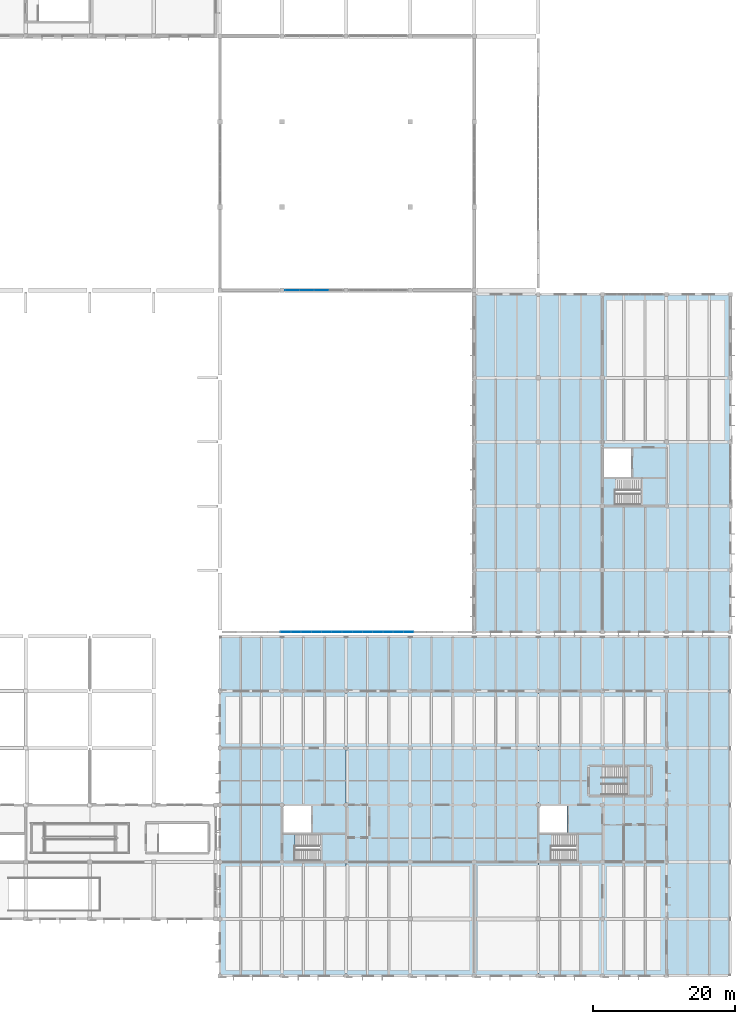
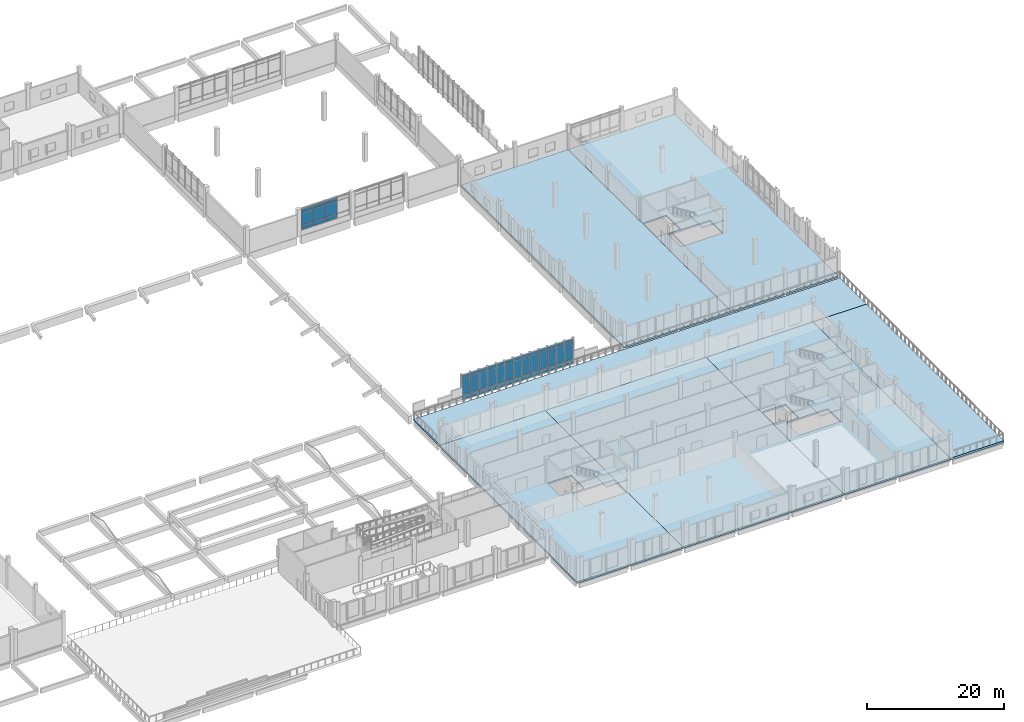
# One storey, part 29 of 63: 48 plates, 11 slabs, 6 elements without a shape of their own.
"""IFC4 building model written with IfcOpenShell, lengths in metres."""

import ifcopenshell
import ifcopenshell.guid

model = None  # the IFC model being written
_history = None  # IfcOwnerHistory: only IFC2X3 demands one
_inside = {}  # id of a spatial element -> (the spatial element, [elements in it])
_under = {}  # id of a project, library or spatial element -> (it, [spatial elements below it])
_declared = {}  # id of a project -> (the project, [libraries it declares])
_typed = {}  # id of a type object -> (the type object, [elements of that type])
_made_of = {}  # id of a material, layer set ... -> (it, [elements and type objects made of it])


def new_model(schema):
    """Start an empty IFC model of exactly this schema.

    Asked for "IFC4X3", IfcOpenShell would pick the latest addendum, in which some entities
    have other attributes; the version numbers below select the first issue.
    IFC2X3 requires an IfcOwnerHistory on every rooted entity: one is made here for all.
    """
    global model, _history
    if schema == "IFC4X3":
        model = ifcopenshell.file(schema_version=(4, 3, 0, 0))
    else:
        model = ifcopenshell.file(schema=schema)
    _inside.clear()
    _under.clear()
    _declared.clear()
    _typed.clear()
    _made_of.clear()
    _history = None
    if model.schema == "IFC2X3":
        org = make("IfcOrganization", Name="unknown")
        user = make(
            "IfcPersonAndOrganization",
            ThePerson=make("IfcPerson", FamilyName="unknown"),
            TheOrganization=org,
        )
        app = make(
            "IfcApplication",
            ApplicationDeveloper=org,
            Version="unknown",
            ApplicationFullName="unknown",
            ApplicationIdentifier="unknown",
        )
        _history = make(
            "IfcOwnerHistory",
            OwningUser=user,
            OwningApplication=app,
            ChangeAction="ADDED",
            CreationDate=0,
        )
    return model


def make(cls, **values):
    """One entity of the class cls with the attributes given. An attribute that is None is left unset."""
    return model.create_entity(
        cls, **{name: value for name, value in values.items() if value is not None}
    )


def rooted(cls, **values):
    """An entity with a GlobalId (a new one), such as an element, a storey or a relation."""
    return make(cls, GlobalId=ifcopenshell.guid.new(), OwnerHistory=_history, **values)


def si_unit(unit_type, name, prefix=None):
    """IfcSIUnit, for example si_unit("LENGTHUNIT", "METRE", prefix="MILLI")."""
    return make("IfcSIUnit", UnitType=unit_type, Prefix=prefix, Name=name)


def assignment(units):
    """IfcUnitAssignment: the units of a project."""
    return None if units is None else make("IfcUnitAssignment", Units=units)


def point(xyz):
    """IfcCartesianPoint."""
    return None if xyz is None else make("IfcCartesianPoint", Coordinates=xyz)


def direction(xyz):
    """IfcDirection."""
    return None if xyz is None else make("IfcDirection", DirectionRatios=xyz)


def frame(location, z_axis=None, x_axis=None):
    """IfcAxis2Placement3D, a coordinate frame: its origin and axes. An axis left out is left unset."""
    return make(
        "IfcAxis2Placement3D",
        Location=point(location),
        Axis=direction(z_axis),
        RefDirection=direction(x_axis),
    )


def frame_2d(location, x_axis=None):
    """IfcAxis2Placement2D, a coordinate frame in the plane: its origin and x axis."""
    return make(
        "IfcAxis2Placement2D", Location=point(location), RefDirection=direction(x_axis)
    )


def origin():
    """The frame at (0, 0, 0) with its axes left unset."""
    return frame((0.0, 0.0, 0.0))


def origin_2d():
    """The frame at (0, 0) in the plane with its x axis left unset."""
    return frame_2d((0.0, 0.0))


def place(relative_to, where):
    """IfcLocalPlacement: puts the frame where relative to a parent placement (None: the world)."""
    return make(
        "IfcLocalPlacement", PlacementRelTo=relative_to, RelativePlacement=where
    )


def context(
    kind, dimensions, precision=None, world=None, true_north=None, identifier=None
):
    """IfcGeometricRepresentationContext, for example the 3D "Model" context."""
    return make(
        "IfcGeometricRepresentationContext",
        ContextIdentifier=identifier,
        ContextType=kind,
        CoordinateSpaceDimension=dimensions,
        Precision=precision,
        WorldCoordinateSystem=world,
        TrueNorth=true_north,
    )


def subcontext(parent, identifier, kind, view, scale=None):
    """IfcGeometricRepresentationSubContext, for example "Body" below "Model"."""
    return make(
        "IfcGeometricRepresentationSubContext",
        ContextIdentifier=identifier,
        ContextType=kind,
        ParentContext=parent,
        TargetScale=scale,
        TargetView=view,
    )


def project(units=None, contexts=None):
    """IfcProject with its units and contexts."""
    return rooted(
        "IfcProject",
        Name="project",
        RepresentationContexts=contexts,
        UnitsInContext=assignment(units),
    )


def spatial(cls, under=None, at=None, **own):
    """A site, building, storey or space (cls), placed at a placement, below another one or the project."""
    s = rooted(cls, ObjectPlacement=at, **own)
    if under is not None:
        _under.setdefault(under.id(), (under, []))[1].append(s)
    return s


def polyline(points):
    """IfcPolyline through the points."""
    return make("IfcPolyline", Points=[point(p) for p in points])


def profile(cls, at=None, kind="AREA", **sizes):
    """A parametric profile (cls). Its sizes go by their IFC names, for example OverallWidth=200.0."""
    return make(cls, ProfileType=kind, Position=at, **sizes)


def rectangle(**sizes):
    """IfcRectangleProfileDef."""
    return profile("IfcRectangleProfileDef", **sizes)


def outline(outer, holes=None, kind="AREA"):
    """IfcArbitraryClosedProfileDef: a profile drawn as a closed curve; with holes, ...WithVoids."""
    if holes is None:
        return make("IfcArbitraryClosedProfileDef", ProfileType=kind, OuterCurve=outer)
    return make(
        "IfcArbitraryProfileDefWithVoids",
        ProfileType=kind,
        OuterCurve=outer,
        InnerCurves=holes,
    )


def extrude(swept, where, along, depth):
    """IfcExtrudedAreaSolid: the profile swept, set in the frame where, extruded along a direction by depth."""
    return make(
        "IfcExtrudedAreaSolid",
        SweptArea=swept,
        Position=where,
        ExtrudedDirection=direction(along),
        Depth=depth,
    )


def shape(context_of_items, identifier, shape_type, items):
    """IfcShapeRepresentation: the items that make up one representation, for example the "Body"."""
    return make(
        "IfcShapeRepresentation",
        ContextOfItems=context_of_items,
        RepresentationIdentifier=identifier,
        RepresentationType=shape_type,
        Items=items,
    )


def material(Name=None, Category=None):
    """IfcMaterial."""
    return make("IfcMaterial", Name=Name, Category=Category)


def layer(
    of_material, thickness, ventilated=None, Name=None, Category=None, Priority=None
):
    """IfcMaterialLayer: one layer of a wall or slab, of a material (None: an air gap)."""
    return make(
        "IfcMaterialLayer",
        Material=of_material,
        LayerThickness=thickness,
        IsVentilated=ventilated,
        Name=Name,
        Category=Category,
        Priority=Priority,
    )


def layer_set(layers, Name=None):
    """IfcMaterialLayerSet."""
    return make("IfcMaterialLayerSet", MaterialLayers=layers, LayerSetName=Name)


def made_of(thing, what):
    """Note that an element or type object is made of a material, layer set ...; save() writes the relation."""
    if what is not None:
        _made_of.setdefault(what.id(), (what, []))[1].append(thing)
    return thing


def type_object(cls, material=None, **own):
    """A type object (cls), such as IfcWallType, which elements share."""
    return made_of(rooted(cls, **own), material)


def element(
    cls,
    number,
    at=None,
    inside=None,
    cuts=None,
    type_object=None,
    material=None,
    context=None,
    identifier="Body",
    shape_type=None,
    held_by="IfcProductDefinitionShape",
    body=None,
    shapes=None,
    **own,
):
    """One element of the class cls, such as IfcWall. Its Tag is "e" and its number.

    at: its placement. inside: the storey or other place that contains it. cuts: it is an
    opening in that element (IfcRelVoidsElement). A single representation is given by context,
    identifier, shape_type and body (its items); several are given by shapes. held_by: the class
    of the entity that holds the representations. save() writes the other relations.
    """
    e = rooted(cls, Tag="e%d" % number, ObjectPlacement=at, **own)
    if body is not None:
        shapes = [shape(context, identifier, shape_type, body)]
    if shapes is not None:
        e.Representation = make(held_by, Representations=shapes)
    if inside is not None:
        _inside.setdefault(inside.id(), (inside, []))[1].append(e)
    if cuts is not None:
        rooted(
            "IfcRelVoidsElement", RelatingBuildingElement=cuts, RelatedOpeningElement=e
        )
    if type_object is not None:
        _typed.setdefault(type_object.id(), (type_object, []))[1].append(e)
    return made_of(e, material)


def aggregate(whole, parts):
    """IfcRelAggregates: a whole, such as a stair, and the parts it consists of."""
    return rooted("IfcRelAggregates", RelatingObject=whole, RelatedObjects=parts)


def save(model, path):
    """Write the relations noted so far, then the file.

    IfcRelAggregates (storeys below a building ...), IfcRelContainedInSpatialStructure (elements
    in a storey), IfcRelDefinesByType, IfcRelAssociatesMaterial and IfcRelDeclares: one each for
    every whole, place, type object, material and project.
    """
    for whole, parts in _under.values():
        aggregate(whole, parts)
    for where, things in _inside.values():
        rooted(
            "IfcRelContainedInSpatialStructure",
            RelatedElements=things,
            RelatingStructure=where,
        )
    for kind, things in _typed.values():
        rooted("IfcRelDefinesByType", RelatedObjects=things, RelatingType=kind)
    for what, things in _made_of.values():
        rooted("IfcRelAssociatesMaterial", RelatedObjects=things, RelatingMaterial=what)
    for by, libraries in _declared.values():
        rooted("IfcRelDeclares", RelatingContext=by, RelatedDefinitions=libraries)
    model.write(path)


model = new_model("IFC4")

# Units and contexts
model_context = context("Model", 3, precision=1e-05, world=origin(), true_north=direction((0.0, 1.0)))
body_context = subcontext(model_context, "Body", "Model", "MODEL_VIEW")
ifc_project = project(units=[si_unit("LENGTHUNIT", "METRE"), si_unit("AREAUNIT", "SQUARE_METRE"), si_unit("VOLUMEUNIT", "CUBIC_METRE"), si_unit("PLANEANGLEUNIT", "RADIAN"), si_unit("MASSUNIT", "GRAM", prefix="KILO")], contexts=[model_context])

# Site, building, storey
site_placement = place(None, origin())
site = spatial("IfcSite", under=ifc_project, at=site_placement, CompositionType="ELEMENT")
building_placement = place(site_placement, origin())
building = spatial("IfcBuilding", under=site, at=building_placement, Name="Zacnel Wholesale Market", CompositionType="ELEMENT")
storey_placement = place(building_placement, frame((0.0, 0.0, 11.199951171875)))
storey = spatial("IfcBuildingStorey", under=building, at=storey_placement, Name="L03", CompositionType="ELEMENT", Elevation=11.199951171875)

# Curtain wall, plates
ifc_material_1 = material(Name="Anodised aluminium", Category="aluminium")
ifc_layer_1 = layer(ifc_material_1, 0.159912109375)
ifc_layer_set_1 = layer_set([ifc_layer_1], Name="Anodised aluminium")
curtain_wall_type_1 = type_object("IfcCurtainWallType", Name="CW-NAVE-4200", PredefinedType="NOTDEFINED", material=ifc_layer_set_1)
curtain_wall_1_placement = place(storey_placement, origin())
curtain_wall_1 = element("IfcCurtainWall", 1, at=curtain_wall_1_placement, inside=storey, type_object=curtain_wall_type_1, Name="Curtain wall ENV-CW-GABLE-E-S", PredefinedType="NOTDEFINED")
ifc_material_2 = material(Name="Laminated hurricane-impact low-E insulated glass", Category="glass")
ifc_layer_2 = layer(ifc_material_2, 0.031982421875)
ifc_layer_set_2 = layer_set([ifc_layer_2], Name="Laminated hurricane-impact low-E insulated glass")
plate_type_1 = type_object("IfcPlateType", Name="CWP-PNL-02", PredefinedType="CURTAIN_PANEL", material=ifc_layer_set_2)
plate_1_placement = place(storey_placement, frame((153.519287109375, 48.300048828125, 0.8798828125), z_axis=(0.0, 0.0, 1.0), x_axis=(1.0, 0.0, 0.0)))
plate_1 = element("IfcPlate", 2, at=plate_1_placement, type_object=plate_type_1, Name="ENV-CW-GABLE-E-S panel 1-2", PredefinedType="CURTAIN_PANEL", context=body_context, shape_type="SweptSolid", body=[
    extrude(rectangle(XDim=1.368408203125, YDim=0.031982421875, at=origin_2d()), origin(), (0.0, 0.0, 1.0), 2.989990234375),
])
plate_2_placement = place(storey_placement, frame((154.957763671875, 48.300048828125, 0.8798828125), z_axis=(0.0, 0.0, 1.0), x_axis=(1.0, 0.0, 0.0)))
plate_2 = element("IfcPlate", 3, at=plate_2_placement, type_object=plate_type_1, Name="ENV-CW-GABLE-E-S panel 2-2", PredefinedType="CURTAIN_PANEL", context=body_context, shape_type="SweptSolid", body=[
    extrude(rectangle(XDim=1.368408203125, YDim=0.031982421875, at=origin_2d()), origin(), (0.0, 0.0, 1.0), 2.989990234375),
])
plate_3_placement = place(storey_placement, frame((156.396240234375, 48.300048828125, 0.8798828125), z_axis=(0.0, 0.0, 1.0), x_axis=(1.0, 0.0, 0.0)))
plate_3 = element("IfcPlate", 4, at=plate_3_placement, type_object=plate_type_1, Name="ENV-CW-GABLE-E-S panel 3-2", PredefinedType="CURTAIN_PANEL", context=body_context, shape_type="SweptSolid", body=[
    extrude(rectangle(XDim=1.368408203125, YDim=0.031982421875, at=origin_2d()), origin(), (0.0, 0.0, 1.0), 2.989990234375),
])
plate_4_placement = place(storey_placement, frame((157.834716796875, 48.300048828125, 0.8798828125), z_axis=(0.0, 0.0, 1.0), x_axis=(1.0, 0.0, 0.0)))
plate_4 = element("IfcPlate", 5, at=plate_4_placement, type_object=plate_type_1, Name="ENV-CW-GABLE-E-S panel 4-2", PredefinedType="CURTAIN_PANEL", context=body_context, shape_type="SweptSolid", body=[
    extrude(rectangle(XDim=1.368408203125, YDim=0.031982421875, at=origin_2d()), origin(), (0.0, 0.0, 1.0), 2.989990234375),
])
plate_5_placement = place(storey_placement, frame((159.273193359375, 48.300048828125, 0.8798828125), z_axis=(0.0, 0.0, 1.0), x_axis=(1.0, 0.0, 0.0)))
plate_5 = element("IfcPlate", 6, at=plate_5_placement, type_object=plate_type_1, Name="ENV-CW-GABLE-E-S panel 5-2", PredefinedType="CURTAIN_PANEL", context=body_context, shape_type="SweptSolid", body=[
    extrude(rectangle(XDim=1.368408203125, YDim=0.031982421875, at=origin_2d()), origin(), (0.0, 0.0, 1.0), 2.989990234375),
])
plate_6_placement = place(storey_placement, frame((160.71142578125, 48.300048828125, 0.8798828125), z_axis=(0.0, 0.0, 1.0), x_axis=(1.0, 0.0, 0.0)))
plate_6 = element("IfcPlate", 7, at=plate_6_placement, type_object=plate_type_1, Name="ENV-CW-GABLE-E-S panel 6-2", PredefinedType="CURTAIN_PANEL", context=body_context, shape_type="SweptSolid", body=[
    extrude(rectangle(XDim=1.368408203125, YDim=0.031982421875, at=origin_2d()), origin(), (0.0, 0.0, 1.0), 2.989990234375),
])
plate_7_placement = place(storey_placement, frame((162.14990234375, 48.300048828125, 0.8798828125), z_axis=(0.0, 0.0, 1.0), x_axis=(1.0, 0.0, 0.0)))
plate_7 = element("IfcPlate", 8, at=plate_7_placement, type_object=plate_type_1, Name="ENV-CW-GABLE-E-S panel 7-2", PredefinedType="CURTAIN_PANEL", context=body_context, shape_type="SweptSolid", body=[
    extrude(rectangle(XDim=1.368408203125, YDim=0.031982421875, at=origin_2d()), origin(), (0.0, 0.0, 1.0), 2.989990234375),
])
plate_8_placement = place(storey_placement, frame((163.58837890625, 48.300048828125, 0.8798828125), z_axis=(0.0, 0.0, 1.0), x_axis=(1.0, 0.0, 0.0)))
plate_8 = element("IfcPlate", 9, at=plate_8_placement, type_object=plate_type_1, Name="ENV-CW-GABLE-E-S panel 8-2", PredefinedType="CURTAIN_PANEL", context=body_context, shape_type="SweptSolid", body=[
    extrude(rectangle(XDim=1.368408203125, YDim=0.031982421875, at=origin_2d()), origin(), (0.0, 0.0, 1.0), 2.989990234375),
])
plate_9_placement = place(storey_placement, frame((165.02685546875, 48.300048828125, 0.8798828125), z_axis=(0.0, 0.0, 1.0), x_axis=(1.0, 0.0, 0.0)))
plate_9 = element("IfcPlate", 10, at=plate_9_placement, type_object=plate_type_1, Name="ENV-CW-GABLE-E-S panel 9-2", PredefinedType="CURTAIN_PANEL", context=body_context, shape_type="SweptSolid", body=[
    extrude(rectangle(XDim=1.368408203125, YDim=0.031982421875, at=origin_2d()), origin(), (0.0, 0.0, 1.0), 2.989990234375),
])
plate_10_placement = place(storey_placement, frame((166.46533203125, 48.300048828125, 0.8798828125), z_axis=(0.0, 0.0, 1.0), x_axis=(1.0, 0.0, 0.0)))
plate_10 = element("IfcPlate", 11, at=plate_10_placement, type_object=plate_type_1, Name="ENV-CW-GABLE-E-S panel 10-2", PredefinedType="CURTAIN_PANEL", context=body_context, shape_type="SweptSolid", body=[
    extrude(rectangle(XDim=1.368408203125, YDim=0.031982421875, at=origin_2d()), origin(), (0.0, 0.0, 1.0), 2.989990234375),
])
plate_11_placement = place(storey_placement, frame((167.90380859375, 48.300048828125, 0.8798828125), z_axis=(0.0, 0.0, 1.0), x_axis=(1.0, 0.0, 0.0)))
plate_11 = element("IfcPlate", 12, at=plate_11_placement, type_object=plate_type_1, Name="ENV-CW-GABLE-E-S panel 11-2", PredefinedType="CURTAIN_PANEL", context=body_context, shape_type="SweptSolid", body=[
    extrude(rectangle(XDim=1.368408203125, YDim=0.031982421875, at=origin_2d()), origin(), (0.0, 0.0, 1.0), 2.989990234375),
])
plate_12_placement = place(storey_placement, frame((169.34228515625, 48.300048828125, 0.8798828125), z_axis=(0.0, 0.0, 1.0), x_axis=(1.0, 0.0, 0.0)))
plate_12 = element("IfcPlate", 13, at=plate_12_placement, type_object=plate_type_1, Name="ENV-CW-GABLE-E-S panel 12-2", PredefinedType="CURTAIN_PANEL", context=body_context, shape_type="SweptSolid", body=[
    extrude(rectangle(XDim=1.368408203125, YDim=0.031982421875, at=origin_2d()), origin(), (0.0, 0.0, 1.0), 2.989990234375),
])
plate_13_placement = place(storey_placement, frame((170.78076171875, 48.300048828125, 0.8798828125), z_axis=(0.0, 0.0, 1.0), x_axis=(1.0, 0.0, 0.0)))
plate_13 = element("IfcPlate", 14, at=plate_13_placement, type_object=plate_type_1, Name="ENV-CW-GABLE-E-S panel 13-2", PredefinedType="CURTAIN_PANEL", context=body_context, shape_type="SweptSolid", body=[
    extrude(rectangle(XDim=1.368408203125, YDim=0.031982421875, at=origin_2d()), origin(), (0.0, 0.0, 1.0), 2.989990234375),
])

ifc_material_3 = material(Name="Anodised aluminium", Category="aluminium")
ifc_layer_3 = layer(ifc_material_3, 0.14990234375)
ifc_layer_set_3 = layer_set([ifc_layer_3], Name="Anodised aluminium")
curtain_wall_type_2 = type_object("IfcCurtainWallType", Name="CW-CLER-3600", PredefinedType="NOTDEFINED", material=ifc_layer_set_3)
curtain_wall_2_placement = place(storey_placement, origin())
curtain_wall_2 = element("IfcCurtainWall", 15, at=curtain_wall_2_placement, inside=storey, type_object=curtain_wall_type_2, Name="Curtain wall ENV-CW-XDRUM-S-2", PredefinedType="NOTDEFINED")
ifc_material_4 = material(Name="Laminated hurricane-impact low-E insulated glass", Category="glass")
ifc_layer_4 = layer(ifc_material_4, 0.02392578125)
ifc_layer_set_4 = layer_set([ifc_layer_4], Name="Laminated hurricane-impact low-E insulated glass")
plate_type_2 = type_object("IfcPlateType", Name="CWP-PNL-03", PredefinedType="CURTAIN_PANEL", material=ifc_layer_set_4)
plate_14_placement = place(storey_placement, frame((154.469970703125, 96.300048828125, 1.7802734375), z_axis=(0.0, 0.0, 1.0), x_axis=(1.0, 0.0, 0.0)))
plate_14 = element("IfcPlate", 16, at=plate_14_placement, type_object=plate_type_2, Name="ENV-CW-XDRUM-S-2 panel 1-2", PredefinedType="CURTAIN_PANEL", context=body_context, shape_type="SweptSolid", body=[
    extrude(rectangle(XDim=1.949951171875, YDim=0.02392578125, at=origin_2d()), origin(), (0.0, 0.0, 1.0), 2.239990234375),
])
plate_15_placement = place(storey_placement, frame((156.489990234375, 96.300048828125, 1.7802734375), z_axis=(0.0, 0.0, 1.0), x_axis=(1.0, 0.0, 0.0)))
plate_15 = element("IfcPlate", 17, at=plate_15_placement, type_object=plate_type_2, Name="ENV-CW-XDRUM-S-2 panel 2-2", PredefinedType="CURTAIN_PANEL", context=body_context, shape_type="SweptSolid", body=[
    extrude(rectangle(XDim=1.949951171875, YDim=0.02392578125, at=origin_2d()), origin(), (0.0, 0.0, 1.0), 2.239990234375),
])
plate_16_placement = place(storey_placement, frame((158.510009765625, 96.300048828125, 1.7802734375), z_axis=(0.0, 0.0, 1.0), x_axis=(1.0, 0.0, 0.0)))
plate_16 = element("IfcPlate", 18, at=plate_16_placement, type_object=plate_type_2, Name="ENV-CW-XDRUM-S-2 panel 3-2", PredefinedType="CURTAIN_PANEL", context=body_context, shape_type="SweptSolid", body=[
    extrude(rectangle(XDim=1.949951171875, YDim=0.02392578125, at=origin_2d()), origin(), (0.0, 0.0, 1.0), 2.239990234375),
])

# Plate
ifc_material_5 = material(Name="Anodised aluminium", Category="aluminium")
ifc_layer_5 = layer(ifc_material_5, 0.0400390625)
ifc_layer_set_5 = layer_set([ifc_layer_5], Name="Anodised aluminium")
plate_type_3 = type_object("IfcPlateType", Name="CWP-PNL-05", PredefinedType="CURTAIN_PANEL", material=ifc_layer_set_5)
plate_17_placement = place(storey_placement, frame((153.519287109375, 48.300048828125, 0.030029296875), z_axis=(0.0, 0.0, 1.0), x_axis=(1.0, 0.0, 0.0)))
plate_17 = element("IfcPlate", 19, at=plate_17_placement, type_object=plate_type_3, Name="ENV-CW-GABLE-E-S panel 1-1", PredefinedType="CURTAIN_PANEL", context=body_context, shape_type="SweptSolid", body=[
    extrude(rectangle(XDim=1.368408203125, YDim=0.0400390625, at=origin_2d()), origin(), (0.0, 0.0, 1.0), 0.7900390625),
])

plate_18_placement = place(storey_placement, frame((153.519287109375, 48.300048828125, 3.93017578125), z_axis=(0.0, 0.0, 1.0), x_axis=(1.0, 0.0, 0.0)))
plate_18 = element("IfcPlate", 20, at=plate_18_placement, type_object=plate_type_3, Name="ENV-CW-GABLE-E-S panel 1-3", PredefinedType="CURTAIN_PANEL", context=body_context, shape_type="SweptSolid", body=[
    extrude(rectangle(XDim=1.368408203125, YDim=0.0400390625, at=origin_2d()), origin(), (0.0, 0.0, 1.0), 0.489990234375),
])

plate_19_placement = place(storey_placement, frame((156.396240234375, 48.300048828125, 0.030029296875), z_axis=(0.0, 0.0, 1.0), x_axis=(1.0, 0.0, 0.0)))
plate_19 = element("IfcPlate", 21, at=plate_19_placement, type_object=plate_type_3, Name="ENV-CW-GABLE-E-S panel 3-1", PredefinedType="CURTAIN_PANEL", context=body_context, shape_type="SweptSolid", body=[
    extrude(rectangle(XDim=1.368408203125, YDim=0.0400390625, at=origin_2d()), origin(), (0.0, 0.0, 1.0), 0.7900390625),
])

plate_20_placement = place(storey_placement, frame((156.396240234375, 48.300048828125, 3.93017578125), z_axis=(0.0, 0.0, 1.0), x_axis=(1.0, 0.0, 0.0)))
plate_20 = element("IfcPlate", 22, at=plate_20_placement, type_object=plate_type_3, Name="ENV-CW-GABLE-E-S panel 3-3", PredefinedType="CURTAIN_PANEL", context=body_context, shape_type="SweptSolid", body=[
    extrude(rectangle(XDim=1.368408203125, YDim=0.0400390625, at=origin_2d()), origin(), (0.0, 0.0, 1.0), 0.489990234375),
])

plate_21_placement = place(storey_placement, frame((159.273193359375, 48.300048828125, 0.030029296875), z_axis=(0.0, 0.0, 1.0), x_axis=(1.0, 0.0, 0.0)))
plate_21 = element("IfcPlate", 23, at=plate_21_placement, type_object=plate_type_3, Name="ENV-CW-GABLE-E-S panel 5-1", PredefinedType="CURTAIN_PANEL", context=body_context, shape_type="SweptSolid", body=[
    extrude(rectangle(XDim=1.368408203125, YDim=0.0400390625, at=origin_2d()), origin(), (0.0, 0.0, 1.0), 0.7900390625),
])

plate_22_placement = place(storey_placement, frame((159.273193359375, 48.300048828125, 3.93017578125), z_axis=(0.0, 0.0, 1.0), x_axis=(1.0, 0.0, 0.0)))
plate_22 = element("IfcPlate", 24, at=plate_22_placement, type_object=plate_type_3, Name="ENV-CW-GABLE-E-S panel 5-3", PredefinedType="CURTAIN_PANEL", context=body_context, shape_type="SweptSolid", body=[
    extrude(rectangle(XDim=1.368408203125, YDim=0.0400390625, at=origin_2d()), origin(), (0.0, 0.0, 1.0), 0.489990234375),
])

plate_23_placement = place(storey_placement, frame((162.14990234375, 48.300048828125, 0.030029296875), z_axis=(0.0, 0.0, 1.0), x_axis=(1.0, 0.0, 0.0)))
plate_23 = element("IfcPlate", 25, at=plate_23_placement, type_object=plate_type_3, Name="ENV-CW-GABLE-E-S panel 7-1", PredefinedType="CURTAIN_PANEL", context=body_context, shape_type="SweptSolid", body=[
    extrude(rectangle(XDim=1.368408203125, YDim=0.0400390625, at=origin_2d()), origin(), (0.0, 0.0, 1.0), 0.7900390625),
])

plate_24_placement = place(storey_placement, frame((162.14990234375, 48.300048828125, 3.93017578125), z_axis=(0.0, 0.0, 1.0), x_axis=(1.0, 0.0, 0.0)))
plate_24 = element("IfcPlate", 26, at=plate_24_placement, type_object=plate_type_3, Name="ENV-CW-GABLE-E-S panel 7-3", PredefinedType="CURTAIN_PANEL", context=body_context, shape_type="SweptSolid", body=[
    extrude(rectangle(XDim=1.368408203125, YDim=0.0400390625, at=origin_2d()), origin(), (0.0, 0.0, 1.0), 0.489990234375),
])

plate_25_placement = place(storey_placement, frame((165.02685546875, 48.300048828125, 0.030029296875), z_axis=(0.0, 0.0, 1.0), x_axis=(1.0, 0.0, 0.0)))
plate_25 = element("IfcPlate", 27, at=plate_25_placement, type_object=plate_type_3, Name="ENV-CW-GABLE-E-S panel 9-1", PredefinedType="CURTAIN_PANEL", context=body_context, shape_type="SweptSolid", body=[
    extrude(rectangle(XDim=1.368408203125, YDim=0.0400390625, at=origin_2d()), origin(), (0.0, 0.0, 1.0), 0.7900390625),
])

plate_26_placement = place(storey_placement, frame((165.02685546875, 48.300048828125, 3.93017578125), z_axis=(0.0, 0.0, 1.0), x_axis=(1.0, 0.0, 0.0)))
plate_26 = element("IfcPlate", 28, at=plate_26_placement, type_object=plate_type_3, Name="ENV-CW-GABLE-E-S panel 9-3", PredefinedType="CURTAIN_PANEL", context=body_context, shape_type="SweptSolid", body=[
    extrude(rectangle(XDim=1.368408203125, YDim=0.0400390625, at=origin_2d()), origin(), (0.0, 0.0, 1.0), 0.489990234375),
])

plate_27_placement = place(storey_placement, frame((167.90380859375, 48.300048828125, 0.030029296875), z_axis=(0.0, 0.0, 1.0), x_axis=(1.0, 0.0, 0.0)))
plate_27 = element("IfcPlate", 29, at=plate_27_placement, type_object=plate_type_3, Name="ENV-CW-GABLE-E-S panel 11-1", PredefinedType="CURTAIN_PANEL", context=body_context, shape_type="SweptSolid", body=[
    extrude(rectangle(XDim=1.368408203125, YDim=0.0400390625, at=origin_2d()), origin(), (0.0, 0.0, 1.0), 0.7900390625),
])

plate_28_placement = place(storey_placement, frame((167.90380859375, 48.300048828125, 3.93017578125), z_axis=(0.0, 0.0, 1.0), x_axis=(1.0, 0.0, 0.0)))
plate_28 = element("IfcPlate", 30, at=plate_28_placement, type_object=plate_type_3, Name="ENV-CW-GABLE-E-S panel 11-3", PredefinedType="CURTAIN_PANEL", context=body_context, shape_type="SweptSolid", body=[
    extrude(rectangle(XDim=1.368408203125, YDim=0.0400390625, at=origin_2d()), origin(), (0.0, 0.0, 1.0), 0.489990234375),
])

plate_29_placement = place(storey_placement, frame((170.78076171875, 48.300048828125, 0.030029296875), z_axis=(0.0, 0.0, 1.0), x_axis=(1.0, 0.0, 0.0)))
plate_29 = element("IfcPlate", 31, at=plate_29_placement, type_object=plate_type_3, Name="ENV-CW-GABLE-E-S panel 13-1", PredefinedType="CURTAIN_PANEL", context=body_context, shape_type="SweptSolid", body=[
    extrude(rectangle(XDim=1.368408203125, YDim=0.0400390625, at=origin_2d()), origin(), (0.0, 0.0, 1.0), 0.7900390625),
])

plate_30_placement = place(storey_placement, frame((170.78076171875, 48.300048828125, 3.93017578125), z_axis=(0.0, 0.0, 1.0), x_axis=(1.0, 0.0, 0.0)))
plate_30 = element("IfcPlate", 32, at=plate_30_placement, type_object=plate_type_3, Name="ENV-CW-GABLE-E-S panel 13-3", PredefinedType="CURTAIN_PANEL", context=body_context, shape_type="SweptSolid", body=[
    extrude(rectangle(XDim=1.368408203125, YDim=0.0400390625, at=origin_2d()), origin(), (0.0, 0.0, 1.0), 0.489990234375),
])

plate_31_placement = place(storey_placement, frame((154.469970703125, 96.300048828125, 0.929931640625), z_axis=(0.0, 0.0, 1.0), x_axis=(1.0, 0.0, 0.0)))
plate_31 = element("IfcPlate", 33, at=plate_31_placement, type_object=plate_type_3, Name="ENV-CW-XDRUM-S-2 panel 1-1", PredefinedType="CURTAIN_PANEL", context=body_context, shape_type="SweptSolid", body=[
    extrude(rectangle(XDim=1.949951171875, YDim=0.0400390625, at=origin_2d()), origin(), (0.0, 0.0, 1.0), 0.7900390625),
])

plate_32_placement = place(storey_placement, frame((154.469970703125, 96.300048828125, 4.080078125), z_axis=(0.0, 0.0, 1.0), x_axis=(1.0, 0.0, 0.0)))
plate_32 = element("IfcPlate", 34, at=plate_32_placement, type_object=plate_type_3, Name="ENV-CW-XDRUM-S-2 panel 1-3", PredefinedType="CURTAIN_PANEL", context=body_context, shape_type="SweptSolid", body=[
    extrude(rectangle(XDim=1.949951171875, YDim=0.0400390625, at=origin_2d()), origin(), (0.0, 0.0, 1.0), 0.489990234375),
])

plate_33_placement = place(storey_placement, frame((158.510009765625, 96.300048828125, 0.929931640625), z_axis=(0.0, 0.0, 1.0), x_axis=(1.0, 0.0, 0.0)))
plate_33 = element("IfcPlate", 35, at=plate_33_placement, type_object=plate_type_3, Name="ENV-CW-XDRUM-S-2 panel 3-1", PredefinedType="CURTAIN_PANEL", context=body_context, shape_type="SweptSolid", body=[
    extrude(rectangle(XDim=1.949951171875, YDim=0.0400390625, at=origin_2d()), origin(), (0.0, 0.0, 1.0), 0.7900390625),
])

plate_34_placement = place(storey_placement, frame((158.510009765625, 96.300048828125, 4.080078125), z_axis=(0.0, 0.0, 1.0), x_axis=(1.0, 0.0, 0.0)))
plate_34 = element("IfcPlate", 36, at=plate_34_placement, type_object=plate_type_3, Name="ENV-CW-XDRUM-S-2 panel 3-3", PredefinedType="CURTAIN_PANEL", context=body_context, shape_type="SweptSolid", body=[
    extrude(rectangle(XDim=1.949951171875, YDim=0.0400390625, at=origin_2d()), origin(), (0.0, 0.0, 1.0), 0.489990234375),
])

ifc_material_6 = material(Name="Honed Yucatan Maya cream limestone", Category="masonry")
ifc_layer_6 = layer(ifc_material_6, 0.044921875)
ifc_layer_set_6 = layer_set([ifc_layer_6], Name="Honed Yucatan Maya cream limestone")
plate_type_4 = type_object("IfcPlateType", Name="CWP-PNL-06", PredefinedType="CURTAIN_PANEL", material=ifc_layer_set_6)
plate_35_placement = place(storey_placement, frame((154.957763671875, 48.300048828125, 0.030029296875), z_axis=(0.0, 0.0, 1.0), x_axis=(1.0, 0.0, 0.0)))
plate_35 = element("IfcPlate", 37, at=plate_35_placement, type_object=plate_type_4, Name="ENV-CW-GABLE-E-S panel 2-1", PredefinedType="CURTAIN_PANEL", context=body_context, shape_type="SweptSolid", body=[
    extrude(rectangle(XDim=1.368408203125, YDim=0.044921875, at=origin_2d()), origin(), (0.0, 0.0, 1.0), 0.7900390625),
])

plate_36_placement = place(storey_placement, frame((154.957763671875, 48.300048828125, 3.93017578125), z_axis=(0.0, 0.0, 1.0), x_axis=(1.0, 0.0, 0.0)))
plate_36 = element("IfcPlate", 38, at=plate_36_placement, type_object=plate_type_4, Name="ENV-CW-GABLE-E-S panel 2-3", PredefinedType="CURTAIN_PANEL", context=body_context, shape_type="SweptSolid", body=[
    extrude(rectangle(XDim=1.368408203125, YDim=0.044921875, at=origin_2d()), origin(), (0.0, 0.0, 1.0), 0.489990234375),
])

plate_37_placement = place(storey_placement, frame((157.834716796875, 48.300048828125, 0.030029296875), z_axis=(0.0, 0.0, 1.0), x_axis=(1.0, 0.0, 0.0)))
plate_37 = element("IfcPlate", 39, at=plate_37_placement, type_object=plate_type_4, Name="ENV-CW-GABLE-E-S panel 4-1", PredefinedType="CURTAIN_PANEL", context=body_context, shape_type="SweptSolid", body=[
    extrude(rectangle(XDim=1.368408203125, YDim=0.044921875, at=origin_2d()), origin(), (0.0, 0.0, 1.0), 0.7900390625),
])

plate_38_placement = place(storey_placement, frame((157.834716796875, 48.300048828125, 3.93017578125), z_axis=(0.0, 0.0, 1.0), x_axis=(1.0, 0.0, 0.0)))
plate_38 = element("IfcPlate", 40, at=plate_38_placement, type_object=plate_type_4, Name="ENV-CW-GABLE-E-S panel 4-3", PredefinedType="CURTAIN_PANEL", context=body_context, shape_type="SweptSolid", body=[
    extrude(rectangle(XDim=1.368408203125, YDim=0.044921875, at=origin_2d()), origin(), (0.0, 0.0, 1.0), 0.489990234375),
])

plate_39_placement = place(storey_placement, frame((160.71142578125, 48.300048828125, 0.030029296875), z_axis=(0.0, 0.0, 1.0), x_axis=(1.0, 0.0, 0.0)))
plate_39 = element("IfcPlate", 41, at=plate_39_placement, type_object=plate_type_4, Name="ENV-CW-GABLE-E-S panel 6-1", PredefinedType="CURTAIN_PANEL", context=body_context, shape_type="SweptSolid", body=[
    extrude(rectangle(XDim=1.368408203125, YDim=0.044921875, at=origin_2d()), origin(), (0.0, 0.0, 1.0), 0.7900390625),
])

plate_40_placement = place(storey_placement, frame((160.71142578125, 48.300048828125, 3.93017578125), z_axis=(0.0, 0.0, 1.0), x_axis=(1.0, 0.0, 0.0)))
plate_40 = element("IfcPlate", 42, at=plate_40_placement, type_object=plate_type_4, Name="ENV-CW-GABLE-E-S panel 6-3", PredefinedType="CURTAIN_PANEL", context=body_context, shape_type="SweptSolid", body=[
    extrude(rectangle(XDim=1.368408203125, YDim=0.044921875, at=origin_2d()), origin(), (0.0, 0.0, 1.0), 0.489990234375),
])

plate_41_placement = place(storey_placement, frame((163.58837890625, 48.300048828125, 0.030029296875), z_axis=(0.0, 0.0, 1.0), x_axis=(1.0, 0.0, 0.0)))
plate_41 = element("IfcPlate", 43, at=plate_41_placement, type_object=plate_type_4, Name="ENV-CW-GABLE-E-S panel 8-1", PredefinedType="CURTAIN_PANEL", context=body_context, shape_type="SweptSolid", body=[
    extrude(rectangle(XDim=1.368408203125, YDim=0.044921875, at=origin_2d()), origin(), (0.0, 0.0, 1.0), 0.7900390625),
])

plate_42_placement = place(storey_placement, frame((163.58837890625, 48.300048828125, 3.93017578125), z_axis=(0.0, 0.0, 1.0), x_axis=(1.0, 0.0, 0.0)))
plate_42 = element("IfcPlate", 44, at=plate_42_placement, type_object=plate_type_4, Name="ENV-CW-GABLE-E-S panel 8-3", PredefinedType="CURTAIN_PANEL", context=body_context, shape_type="SweptSolid", body=[
    extrude(rectangle(XDim=1.368408203125, YDim=0.044921875, at=origin_2d()), origin(), (0.0, 0.0, 1.0), 0.489990234375),
])

plate_43_placement = place(storey_placement, frame((166.46533203125, 48.300048828125, 0.030029296875), z_axis=(0.0, 0.0, 1.0), x_axis=(1.0, 0.0, 0.0)))
plate_43 = element("IfcPlate", 45, at=plate_43_placement, type_object=plate_type_4, Name="ENV-CW-GABLE-E-S panel 10-1", PredefinedType="CURTAIN_PANEL", context=body_context, shape_type="SweptSolid", body=[
    extrude(rectangle(XDim=1.368408203125, YDim=0.044921875, at=origin_2d()), origin(), (0.0, 0.0, 1.0), 0.7900390625),
])

plate_44_placement = place(storey_placement, frame((166.46533203125, 48.300048828125, 3.93017578125), z_axis=(0.0, 0.0, 1.0), x_axis=(1.0, 0.0, 0.0)))
plate_44 = element("IfcPlate", 46, at=plate_44_placement, type_object=plate_type_4, Name="ENV-CW-GABLE-E-S panel 10-3", PredefinedType="CURTAIN_PANEL", context=body_context, shape_type="SweptSolid", body=[
    extrude(rectangle(XDim=1.368408203125, YDim=0.044921875, at=origin_2d()), origin(), (0.0, 0.0, 1.0), 0.489990234375),
])

plate_45_placement = place(storey_placement, frame((169.34228515625, 48.300048828125, 0.030029296875), z_axis=(0.0, 0.0, 1.0), x_axis=(1.0, 0.0, 0.0)))
plate_45 = element("IfcPlate", 47, at=plate_45_placement, type_object=plate_type_4, Name="ENV-CW-GABLE-E-S panel 12-1", PredefinedType="CURTAIN_PANEL", context=body_context, shape_type="SweptSolid", body=[
    extrude(rectangle(XDim=1.368408203125, YDim=0.044921875, at=origin_2d()), origin(), (0.0, 0.0, 1.0), 0.7900390625),
])

plate_46_placement = place(storey_placement, frame((169.34228515625, 48.300048828125, 3.93017578125), z_axis=(0.0, 0.0, 1.0), x_axis=(1.0, 0.0, 0.0)))
plate_46 = element("IfcPlate", 48, at=plate_46_placement, type_object=plate_type_4, Name="ENV-CW-GABLE-E-S panel 12-3", PredefinedType="CURTAIN_PANEL", context=body_context, shape_type="SweptSolid", body=[
    extrude(rectangle(XDim=1.368408203125, YDim=0.044921875, at=origin_2d()), origin(), (0.0, 0.0, 1.0), 0.489990234375),
])

aggregate(curtain_wall_1, [plate_17, plate_1, plate_18, plate_35, plate_2, plate_36, plate_19, plate_3, plate_20, plate_37, plate_4, plate_38, plate_21, plate_5, plate_22, plate_39, plate_6, plate_40, plate_23, plate_7, plate_24, plate_41, plate_8, plate_42, plate_25, plate_9, plate_26, plate_43, plate_10, plate_44, plate_27, plate_11, plate_28, plate_45, plate_12, plate_46, plate_29, plate_13, plate_30])

plate_47_placement = place(storey_placement, frame((156.489990234375, 96.300048828125, 0.929931640625), z_axis=(0.0, 0.0, 1.0), x_axis=(1.0, 0.0, 0.0)))
plate_47 = element("IfcPlate", 49, at=plate_47_placement, type_object=plate_type_4, Name="ENV-CW-XDRUM-S-2 panel 2-1", PredefinedType="CURTAIN_PANEL", context=body_context, shape_type="SweptSolid", body=[
    extrude(rectangle(XDim=1.949951171875, YDim=0.044921875, at=origin_2d()), origin(), (0.0, 0.0, 1.0), 0.7900390625),
])

plate_48_placement = place(storey_placement, frame((156.489990234375, 96.300048828125, 4.080078125), z_axis=(0.0, 0.0, 1.0), x_axis=(1.0, 0.0, 0.0)))
plate_48 = element("IfcPlate", 50, at=plate_48_placement, type_object=plate_type_4, Name="ENV-CW-XDRUM-S-2 panel 2-3", PredefinedType="CURTAIN_PANEL", context=body_context, shape_type="SweptSolid", body=[
    extrude(rectangle(XDim=1.949951171875, YDim=0.044921875, at=origin_2d()), origin(), (0.0, 0.0, 1.0), 0.489990234375),
])

aggregate(curtain_wall_2, [plate_31, plate_14, plate_32, plate_47, plate_15, plate_48, plate_33, plate_16, plate_34])

# Slabs
ifc_material_7 = material(Name="Precast concrete C45/55", Category="concrete")
ifc_layer_7 = layer(ifc_material_7, 0.280029296875)
ifc_layer_set_7 = layer_set([ifc_layer_7], Name="Precast concrete C45/55")
slab_type_1 = type_object("IfcSlabType", Name="SLB-FLR-280", PredefinedType="FLOOR", material=ifc_layer_set_7)
slab_1_placement = place(storey_placement, frame((0.0, 0.0, -0.280029296875)))
element("IfcSlab", 51, at=slab_1_placement, inside=storey, type_object=slab_type_1, Name="Structural slab SLB-L03-V1E-INT-P1", PredefinedType="FLOOR", context=body_context, shape_type="SweptSolid", body=[
    extrude(outline(polyline([(198.0, 95.699951171875), (198.0, 48.300048828125), (180.0, 48.300048828125), (180.0, 95.699951171875), (198.0, 95.699951171875)])), origin(), (0.0, 0.0, 1.0), 0.280029296875),
])
slab_2_placement = place(storey_placement, frame((0.0, 0.0, -0.280029296875)))
element("IfcSlab", 52, at=slab_2_placement, inside=storey, type_object=slab_type_1, Name="Structural slab SLB-L03-V1E-INT-P2", PredefinedType="FLOOR", context=body_context, shape_type="SweptSolid", body=[
    extrude(outline(polyline([(216.0, 48.300048828125), (198.0, 48.300048828125), (198.0, 95.699951171875), (216.0, 95.699951171875), (216.0, 48.300048828125)]), holes=[polyline([(199.85009765625, 66.1298828125), (206.8701171875, 66.1298828125), (206.8701171875, 69.820068359375), (199.85009765625, 69.820068359375), (199.85009765625, 66.1298828125)]), polyline([(198.139892578125, 70.080078125), (202.070068359375, 70.080078125), (202.070068359375, 74.070068359375), (198.139892578125, 74.070068359375), (198.139892578125, 70.080078125)])]), origin(), (0.0, 0.0, 1.0), 0.280029296875),
])
ifc_material_8 = material(Name="Precast concrete C45/55", Category="concrete")
ifc_layer_8 = layer(ifc_material_8, 0.300048828125)
ifc_layer_set_8 = layer_set([ifc_layer_8], Name="Precast concrete C45/55")
slab_type_2 = type_object("IfcSlabType", Name="SLB-FLR-300", PredefinedType="FLOOR", material=ifc_layer_set_8)
slab_3_placement = place(storey_placement, frame((0.0, 0.0, -0.300048828125)))
element("IfcSlab", 53, at=slab_3_placement, inside=storey, type_object=slab_type_2, Name="Structural slab SLB-L03-V5-INT-P1", PredefinedType="FLOOR", context=body_context, shape_type="SweptSolid", body=[
    extrude(outline(polyline([(162.0, 40.0), (162.0, 0.0), (144.300048828125, 0.0), (144.300048828125, 40.0), (162.0, 40.0)]), holes=[polyline([(154.85009765625, 16.1298828125), (161.860107421875, 16.1298828125), (161.860107421875, 19.820068359375), (154.85009765625, 19.820068359375), (154.85009765625, 16.1298828125)]), polyline([(153.1298828125, 20.080078125), (157.070068359375, 20.080078125), (157.070068359375, 23.8701171875), (153.1298828125, 23.8701171875), (153.1298828125, 20.080078125)])]), origin(), (0.0, 0.0, 1.0), 0.300048828125),
])
slab_4_placement = place(storey_placement, frame((0.0, 0.0, -0.300048828125)))
element("IfcSlab", 54, at=slab_4_placement, inside=storey, type_object=slab_type_2, Name="Structural slab SLB-L03-V5-INT-P2", PredefinedType="FLOOR", context=body_context, shape_type="SweptSolid", body=[
    extrude(outline(polyline([(189.0, 40.0), (189.0, 0.0), (162.0, 0.0), (162.0, 40.0), (189.0, 40.0)])), origin(), (0.0, 0.0, 1.0), 0.300048828125),
])
slab_5_placement = place(storey_placement, frame((0.0, 0.0, -0.300048828125)))
element("IfcSlab", 55, at=slab_5_placement, inside=storey, type_object=slab_type_2, Name="Structural slab SLB-L03-V5-INT-P3", PredefinedType="FLOOR", context=body_context, shape_type="SweptSolid", body=[
    extrude(outline(polyline([(207.0, 0.0), (189.0, 0.0), (189.0, 40.0), (207.0, 40.0), (207.0, 0.0)]), holes=[polyline([(190.85009765625, 16.1298828125), (197.8701171875, 16.1298828125), (197.8701171875, 19.820068359375), (190.85009765625, 19.820068359375), (190.85009765625, 16.1298828125)]), polyline([(189.139892578125, 20.080078125), (193.070068359375, 20.080078125), (193.070068359375, 23.8701171875), (189.139892578125, 23.8701171875), (189.139892578125, 20.080078125)])]), origin(), (0.0, 0.0, 1.0), 0.300048828125),
])
ifc_material_9 = material(Name="Precast concrete C45/55", Category="concrete")
ifc_layer_9 = layer(ifc_material_9, 0.340087890625)
ifc_layer_set_9 = layer_set([ifc_layer_9], Name="Precast concrete C45/55")
slab_type_3 = type_object("IfcSlabType", Name="SLB-FLR-340", PredefinedType="FLOOR", material=ifc_layer_set_9)
slab_6_placement = place(storey_placement, frame((0.0, 0.0, -0.33984375)))
element("IfcSlab", 56, at=slab_6_placement, inside=storey, type_object=slab_type_3, Name="Structural slab SLB-L03-V5-TER", PredefinedType="FLOOR", context=body_context, shape_type="SweptSolid", body=[
    extrude(outline(polyline([(216.0, 40.0), (216.0, 47.699951171875), (144.300048828125, 47.699951171875), (144.300048828125, 40.0), (216.0, 40.0)])), origin(), (0.0, 0.0, 1.0), 0.33984375),
])
slab_7_placement = place(storey_placement, frame((0.0, 0.0, -0.33984375)))
element("IfcSlab", 57, at=slab_7_placement, inside=storey, type_object=slab_type_3, Name="Structural slab SLB-L03-V5-TER-E", PredefinedType="FLOOR", context=body_context, shape_type="SweptSolid", body=[
    extrude(outline(polyline([(216.0, 0.0), (216.0, 40.0), (207.0, 40.0), (207.0, 0.0), (216.0, 0.0)])), origin(), (0.0, 0.0, 1.0), 0.33984375),
])

# Stair, slab
ifc_material_10 = material(Name="Precast concrete C45/55", Category="concrete")
stair_type = type_object("IfcStairType", Name="STR-DOGLEG-1550", PredefinedType="HALF_TURN_STAIR", material=ifc_material_10)
stair_1_placement = place(storey_placement, origin())
stair_1 = element("IfcStair", 58, at=stair_1_placement, inside=storey, type_object=stair_type, Name="Stair ST-03 (L03)", PredefinedType="HALF_TURN_STAIR")
ifc_material_11 = material(Name="Precast concrete C45/55", Category="concrete")
ifc_layer_10 = layer(ifc_material_11, 0.199951171875)
ifc_layer_set_10 = layer_set([ifc_layer_10], Name="Precast concrete C45/55")
slab_type_4 = type_object("IfcSlabType", Name="SLB-LAND-200", PredefinedType="LANDING", material=ifc_layer_set_10)
slab_8_placement = place(storey_placement, frame((0.0, 0.0, 2.074951171875)))
slab_8 = element("IfcSlab", 59, at=slab_8_placement, type_object=slab_type_4, Name="ST-03 landing 1", PredefinedType="LANDING", context=body_context, shape_type="SweptSolid", body=[
    extrude(outline(polyline([(158.409912109375, 15.989990234375), (162.010009765625, 15.989990234375), (162.010009765625, 19.9599609375), (158.409912109375, 19.9599609375), (158.409912109375, 15.989990234375)])), origin(), (0.0, 0.0, 1.0), 0.2001953125),
])
aggregate(stair_1, [slab_8])

stair_2_placement = place(storey_placement, origin())
stair_2 = element("IfcStair", 60, at=stair_2_placement, inside=storey, type_object=stair_type, Name="Stair ST-06 (L03)", PredefinedType="HALF_TURN_STAIR")
slab_9_placement = place(storey_placement, frame((0.0, 0.0, 2.074951171875)))
slab_9 = element("IfcSlab", 61, at=slab_9_placement, type_object=slab_type_4, Name="ST-06 landing 1", PredefinedType="LANDING", context=body_context, shape_type="SweptSolid", body=[
    extrude(outline(polyline([(194.409912109375, 15.989990234375), (198.010009765625, 15.989990234375), (198.010009765625, 19.9599609375), (194.409912109375, 19.9599609375), (194.409912109375, 15.989990234375)])), origin(), (0.0, 0.0, 1.0), 0.2001953125),
])
aggregate(stair_2, [slab_9])

stair_3_placement = place(storey_placement, origin())
stair_3 = element("IfcStair", 62, at=stair_3_placement, inside=storey, type_object=stair_type, Name="Stair ST-29 (L03)", PredefinedType="HALF_TURN_STAIR")
slab_10_placement = place(storey_placement, frame((0.0, 0.0, 2.074951171875)))
slab_10 = element("IfcSlab", 63, at=slab_10_placement, type_object=slab_type_4, Name="ST-29 landing 1", PredefinedType="LANDING", context=body_context, shape_type="SweptSolid", body=[
    extrude(outline(polyline([(203.409912109375, 65.989990234375), (207.010009765625, 65.989990234375), (207.010009765625, 69.9599609375), (203.409912109375, 69.9599609375), (203.409912109375, 65.989990234375)])), origin(), (0.0, 0.0, 1.0), 0.2001953125),
])
aggregate(stair_3, [slab_10])

stair_4_placement = place(storey_placement, origin())
stair_4 = element("IfcStair", 64, at=stair_4_placement, inside=storey, type_object=stair_type, Name="Stair ST-26 (L03)", PredefinedType="HALF_TURN_STAIR")
slab_11_placement = place(storey_placement, frame((0.0, 0.0, 2.074951171875)))
slab_11 = element("IfcSlab", 65, at=slab_11_placement, type_object=slab_type_4, Name="ST-26 landing 1", PredefinedType="LANDING", context=body_context, shape_type="SweptSolid", body=[
    extrude(outline(polyline([(201.47998046875, 25.260009765625), (204.93994140625, 25.260009765625), (204.93994140625, 29.5400390625), (201.47998046875, 29.5400390625), (201.47998046875, 25.260009765625)])), origin(), (0.0, 0.0, 1.0), 0.2001953125),
])
aggregate(stair_4, [slab_11])

save(model, "model.ifc")
